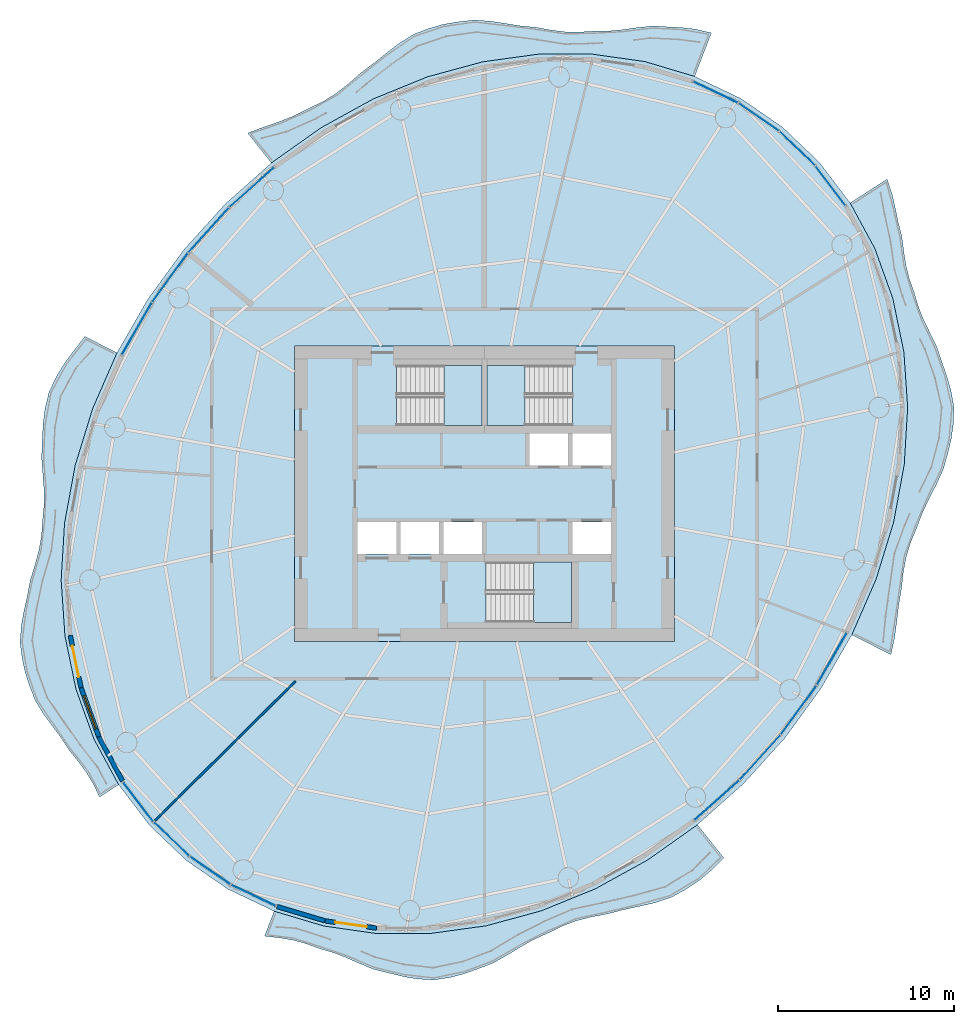
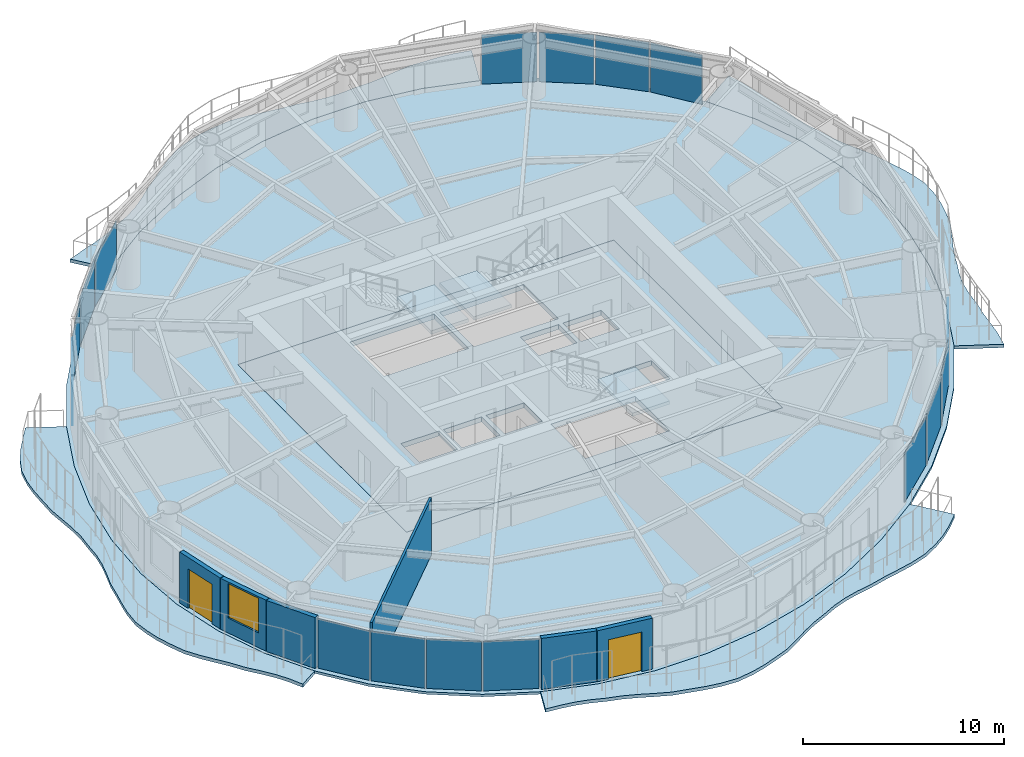
# One storey, part 7 of 14: 16 plates, 9 slabs, 6 walls, 2 doors, 1 window, 3 openings, 19 elements without a shape of their own.
"""IFC4 building model written with IfcOpenShell, lengths in metres."""

from ifc_helpers import new_model, si_unit, direction, frame, frame_2d, origin, origin_2d, place, context, subcontext, project, spatial, polyline, rectangle, outline, extrude, material, layer, layer_set, type_object, element, fill, aggregate, save


model = new_model("IFC4")

# Units and contexts
model_context = context("Model", 3, precision=1e-05, world=origin(), true_north=direction((0.0, 1.0)))
body_context = subcontext(model_context, "Body", "Model", "MODEL_VIEW")
ifc_project = project(units=[si_unit("LENGTHUNIT", "METRE"), si_unit("AREAUNIT", "SQUARE_METRE"), si_unit("VOLUMEUNIT", "CUBIC_METRE"), si_unit("PLANEANGLEUNIT", "RADIAN"), si_unit("MASSUNIT", "GRAM", prefix="KILO")], contexts=[model_context])

# Site, building, storey
site_placement = place(None, origin())
site = spatial("IfcSite", under=ifc_project, at=site_placement, CompositionType="ELEMENT")
building_placement = place(site_placement, origin())
building = spatial("IfcBuilding", under=site, at=building_placement, Name="Vermilion Reach Broadcast Tower", CompositionType="ELEMENT")
storey_placement = place(building_placement, frame((0.0, 0.0, 235.300048828125)))
storey = spatial("IfcBuildingStorey", under=building, at=storey_placement, Name="L58", CompositionType="ELEMENT", Elevation=235.300048828125)

# Slabs
ifc_material_1 = material(Name="Concrete C40/50", Category="concrete")
ifc_layer_1 = layer(ifc_material_1, 0.199951171875)
ifc_layer_set_1 = layer_set([ifc_layer_1], Name="Balcony slab 200")
slab_type_1 = type_object("IfcSlabType", Name="Balcony slab 200", PredefinedType="FLOOR", material=ifc_layer_set_1)
placement_1 = place(storey_placement, frame((0.0, 0.0, -0.199951171875)))
element("IfcSlab", 1, at=placement_1, inside=storey, type_object=slab_type_1, Name="Balcony slab L58 group 1", PredefinedType="FLOOR", context=body_context, shape_type="SweptSolid", body=[
    extrude(outline(polyline([(5.945556640625, 23.713623046875), (3.118896484375, 24.55712890625), (0.13623046875, 24.980712890625), (-2.951416015625, 24.976806640625), (-6.091064453125, 24.54541015625), (-9.229248046875, 23.694091796875), (-12.312255859375, 22.437255859375), (-15.287353515625, 20.796630859375), (-18.103271484375, 18.80029296875), (-19.452392578125, 20.49755859375), (-18.5009765625, 20.853271484375), (-17.650146484375, 21.145263671875), (-16.82373046875, 21.4716796875), (-15.978759765625, 21.898681640625), (-15.147216796875, 22.301513671875), (-14.425537109375, 22.751953125), (-13.7470703125, 23.280029296875), (-13.0185546875, 23.916259765625), (-12.250732421875, 24.4912109375), (-11.5751953125, 25.038818359375), (-10.890625, 25.564697265625), (-10.04248046875, 26.099365234375), (-9.1337890625, 26.44677734375), (-8.3525390625, 26.671875), (-7.548583984375, 26.8134765625), (-6.574462890625, 26.921142578125), (-5.607666015625, 26.848388671875), (-4.790771484375, 26.72314453125), (-3.973388671875, 26.594482421875), (-3.056884765625, 26.504150390625), (-2.18115234375, 26.344482421875), (-1.4091796875, 26.250244140625), (-0.63720703125, 26.232421875), (0.22802734375, 26.292724609375), (1.084228515625, 26.299560546875), (1.85546875, 26.373779296875), (2.631591796875, 26.482666015625), (3.562255859375, 26.58203125), (4.477294921875, 26.5302734375), (5.235107421875, 26.490478515625), (5.977783203125, 26.400634765625), (6.898193359375, 26.18994140625), (5.945556640625, 23.713623046875)])), origin(), (0.0, 0.0, 1.0), 0.199951171875),
])
element("IfcSlab", 2, at=placement_1, inside=storey, type_object=slab_type_1, Name="Balcony slab L58 group 2", PredefinedType="FLOOR", context=body_context, shape_type="SweptSolid", body=[
    extrude(outline(polyline([(-26.872314453125, 8.017578125), (-28.2529296875, 4.853759765625), (-29.2529296875, 1.606689453125), (-29.85498046875, -1.66748046875), (-30.048828125, -4.913330078125), (-29.8310546875, -8.0751953125), (-29.20556640625, -11.098876953125), (-28.183349609375, -13.9326171875), (-26.78125, -16.52783203125), (-27.867431640625, -17.22802734375), (-28.2314453125, -16.47314453125), (-28.611328125, -15.840087890625), (-29.051513671875, -15.23974609375), (-29.597412109375, -14.5654296875), (-30.0859375, -13.818359375), (-30.55517578125, -13.18701171875), (-31.021728515625, -12.5546875), (-31.52099609375, -11.75244140625), (-31.86083984375, -10.85986328125), (-32.099853515625, -10.120849609375), (-32.263427734375, -9.366455078125), (-32.385986328125, -8.42578125), (-32.307373046875, -7.451416015625), (-32.16064453125, -6.647216796875), (-31.9814453125, -5.840576171875), (-31.8046875, -4.92138671875), (-31.529052734375, -4.0107421875), (-31.31201171875, -3.209228515625), (-31.16796875, -2.403564453125), (-31.104248046875, -1.51611328125), (-31.01708984375, -0.607666015625), (-31.022705078125, 0.23974609375), (-31.0869140625, 1.09765625), (-31.160888671875, 2.07421875), (-31.11865234375, 3.070068359375), (-31.075927734375, 3.945556640625), (-30.970947265625, 4.802001953125), (-30.739990234375, 5.77587890625), (-30.30712890625, 6.691650390625), (-29.8486328125, 7.43310546875), (-29.320068359375, 8.14404296875), (-28.702392578125, 8.938720703125), (-26.872314453125, 8.017578125)])), origin(), (0.0, 0.0, 1.0), 0.199951171875),
])
element("IfcSlab", 3, at=placement_1, inside=storey, type_object=slab_type_1, Name="Balcony slab L58 group 3", PredefinedType="FLOOR", context=body_context, shape_type="SweptSolid", body=[
    extrude(outline(polyline([(-17.945556640625, -23.713623046875), (-15.118896484375, -24.55712890625), (-12.13623046875, -24.980712890625), (-9.048583984375, -24.976806640625), (-5.908935546875, -24.54541015625), (-2.770751953125, -23.694091796875), (0.312255859375, -22.437255859375), (3.287353515625, -20.796630859375), (6.103271484375, -18.80029296875), (7.60107421875, -20.6845703125), (6.884521484375, -21.39404296875), (6.225341796875, -21.95654296875), (5.509765625, -22.439697265625), (4.6240234375, -22.92724609375), (3.664794921875, -23.23974609375), (2.804931640625, -23.439697265625), (1.936767578125, -23.6240234375), (0.99560546875, -23.8681640625), (0.068115234375, -24.04345703125), (-0.74609375, -24.250732421875), (-1.52734375, -24.5390625), (-2.348876953125, -24.94189453125), (-3.173828125, -25.312744140625), (-3.9052734375, -25.7216796875), (-4.627197265625, -26.165283203125), (-5.48046875, -26.6513671875), (-6.37255859375, -26.9921875), (-7.134521484375, -27.26611328125), (-7.906005859375, -27.472412109375), (-8.865966796875, -27.623291015625), (-9.817138671875, -27.563720703125), (-10.58935546875, -27.432373046875), (-11.361328125, -27.244384765625), (-12.279052734375, -27.021240234375), (-13.136474609375, -26.66845703125), (-13.85205078125, -26.3505859375), (-14.572998046875, -26.0703125), (-15.39794921875, -25.832275390625), (-16.183349609375, -25.54541015625), (-16.896240234375, -25.355224609375), (-17.62890625, -25.231689453125), (-18.4912109375, -25.13232421875), (-17.945556640625, -23.713623046875)])), origin(), (0.0, 0.0, 1.0), 0.199951171875),
])
element("IfcSlab", 4, at=placement_1, inside=storey, type_object=slab_type_1, Name="Balcony slab L58 group 4", PredefinedType="FLOOR", context=body_context, shape_type="SweptSolid", body=[
    extrude(outline(polyline([(14.872314453125, -8.017578125), (16.2529296875, -4.853759765625), (17.2529296875, -1.606689453125), (17.85498046875, 1.66748046875), (18.048828125, 4.913330078125), (17.8310546875, 8.0751953125), (17.20556640625, 11.098876953125), (16.183349609375, 13.9326171875), (14.78125, 16.52783203125), (16.882568359375, 17.88232421875), (17.17724609375, 16.984130859375), (17.346435546875, 16.2373046875), (17.500244140625, 15.482177734375), (17.718505859375, 14.61962890625), (17.834716796875, 13.727783203125), (17.955078125, 12.970458984375), (18.13720703125, 12.235595703125), (18.418701171875, 11.441162109375), (18.663818359375, 10.612060546875), (18.958984375, 9.885009765625), (19.306884765625, 9.168701171875), (19.7119140625, 8.333251953125), (20.014404296875, 7.431396484375), (20.286376953125, 6.65576171875), (20.5107421875, 5.877197265625), (20.67919921875, 4.92529296875), (20.642822265625, 3.944091796875), (20.530029296875, 3.136474609375), (20.338623046875, 2.333740234375), (20.078125, 1.39794921875), (19.6611328125, 0.4892578125), (19.263916015625, -0.283935546875), (18.893798828125, -1.062255859375), (18.565185546875, -1.92822265625), (18.206787109375, -2.789306640625), (17.96142578125, -3.602294921875), (17.8046875, -4.44287109375), (17.698974609375, -5.389892578125), (17.536376953125, -6.355224609375), (17.430908203125, -7.2509765625), (17.314208984375, -8.1416015625), (17.099365234375, -9.138427734375), (14.872314453125, -8.017578125)])), origin(), (0.0, 0.0, 1.0), 0.199951171875),
])
ifc_material_2 = material(Name="Concrete C40", Category="concrete")
ifc_layer_2 = layer(ifc_material_2, 0.300048828125)
ifc_layer_set_2 = layer_set([ifc_layer_2], Name="Core floor slab 300 mm Concrete C40")
slab_type_2 = type_object("IfcSlabType", Name="Core floor slab 300 mm Concrete C40", PredefinedType="FLOOR", material=ifc_layer_set_2)
slab_5_placement = place(storey_placement, frame((0.0, 0.0, -0.300048828125)))
element("IfcSlab", 5, at=slab_5_placement, inside=storey, type_object=slab_type_2, Name="L58 core floor", PredefinedType="FLOOR", context=body_context, shape_type="SweptSolid", body=[
    extrude(outline(polyline([(-16.800048828125, -8.39990234375), (4.800048828125, -8.39990234375), (4.800048828125, 8.39990234375), (-16.800048828125, 8.39990234375), (-16.800048828125, -8.39990234375)]), holes=[polyline([(-3.433349609375, 1.60009765625), (-1.24169921875, 1.60009765625), (-1.24169921875, 3.429931640625), (-3.433349609375, 3.429931640625), (-3.433349609375, 1.60009765625)]), polyline([(-0.99169921875, 1.60009765625), (1.199951171875, 1.60009765625), (1.199951171875, 3.429931640625), (-0.99169921875, 3.429931640625), (-0.99169921875, 1.60009765625)]), polyline([(-13.199951171875, -3.429931640625), (-11.00830078125, -3.429931640625), (-11.00830078125, -1.60009765625), (-13.199951171875, -1.60009765625), (-13.199951171875, -3.429931640625)]), polyline([(-10.75830078125, -3.429931640625), (-8.566650390625, -3.429931640625), (-8.566650390625, -1.60009765625), (-10.75830078125, -1.60009765625), (-10.75830078125, -3.429931640625)]), polyline([(-8.316650390625, -3.429931640625), (-6.125, -3.429931640625), (-6.125, -1.60009765625), (-8.316650390625, -1.60009765625), (-8.316650390625, -3.429931640625)]), polyline([(-0.99169921875, -3.429931640625), (1.199951171875, -3.429931640625), (1.199951171875, -1.60009765625), (-0.99169921875, -1.60009765625), (-0.99169921875, -3.429931640625)]), polyline([(-10.999267578125, 3.8798828125), (-6.14990234375, 3.8798828125), (-6.14990234375, 7.300048828125), (-10.999267578125, 7.300048828125), (-10.999267578125, 3.8798828125)]), polyline([(-1.000732421875, 7.300048828125), (-5.85009765625, 7.300048828125), (-5.85009765625, 3.8798828125), (-1.000732421875, 3.8798828125), (-1.000732421875, 7.300048828125)]), polyline([(-5.8994140625, -7.300048828125), (-1.050048828125, -7.300048828125), (-1.050048828125, -3.8798828125), (-5.8994140625, -3.8798828125), (-5.8994140625, -7.300048828125)])]), origin(), (0.0, 0.0, 1.0), 0.300048828125),
])

# Stair, slab
ifc_material_3 = material(Name="Concrete C40", Category="concrete")
stair_type = type_object("IfcStairType", Name="Exit stair RC 22 risers 164 mm", PredefinedType="HALF_TURN_STAIR", material=ifc_material_3)
placement_2 = place(storey_placement, origin())
stair_1 = element("IfcStair", 6, at=placement_2, inside=storey, type_object=stair_type, Name="L58 Exit stair ST1", PredefinedType="HALF_TURN_STAIR")
ifc_material_4 = material(Name="Concrete C40", Category="concrete")
ifc_layer_3 = layer(ifc_material_4, 0.199951171875)
ifc_layer_set_3 = layer_set([ifc_layer_3], Name="Exit stair landing Concrete C40")
slab_type_3 = type_object("IfcSlabType", Name="Exit stair landing Concrete C40", PredefinedType="LANDING", material=ifc_layer_set_3)
placement_3 = place(storey_placement, frame((0.0, 0.0, 1.599853515625)))
slab_6 = element("IfcSlab", 7, at=placement_3, type_object=slab_type_3, Name="ST1 landing 1", PredefinedType="LANDING", context=body_context, shape_type="SweptSolid", body=[
    extrude(outline(polyline([(-8.300048828125, 3.8798828125), (-6.14990234375, 3.8798828125), (-6.14990234375, 7.300048828125), (-8.300048828125, 7.300048828125), (-8.300048828125, 3.8798828125)])), origin(), (0.0, 0.0, 1.0), 0.2001953125),
])
aggregate(stair_1, [slab_6])

stair_2 = element("IfcStair", 8, at=placement_2, inside=storey, type_object=stair_type, Name="L58 Exit stair ST2", PredefinedType="HALF_TURN_STAIR")
slab_7 = element("IfcSlab", 9, at=placement_3, type_object=slab_type_3, Name="ST2 landing 1", PredefinedType="LANDING", context=body_context, shape_type="SweptSolid", body=[
    extrude(outline(polyline([(-3.699951171875, 7.300048828125), (-5.85009765625, 7.300048828125), (-5.85009765625, 3.8798828125), (-3.699951171875, 3.8798828125), (-3.699951171875, 7.300048828125)])), origin(), (0.0, 0.0, 1.0), 0.2001953125),
])
aggregate(stair_2, [slab_7])

stair_3 = element("IfcStair", 10, at=placement_2, inside=storey, type_object=stair_type, Name="L58 Exit stair ST3", PredefinedType="HALF_TURN_STAIR")
slab_8 = element("IfcSlab", 11, at=placement_3, type_object=slab_type_3, Name="ST3 landing 1", PredefinedType="LANDING", context=body_context, shape_type="SweptSolid", body=[
    extrude(outline(polyline([(-3.199951171875, -7.300048828125), (-1.050048828125, -7.300048828125), (-1.050048828125, -3.8798828125), (-3.199951171875, -3.8798828125), (-3.199951171875, -7.300048828125)])), origin(), (0.0, 0.0, 1.0), 0.2001953125),
])
aggregate(stair_3, [slab_8])

# Slab
ifc_material_5 = material(Name="Concrete C40", Category="concrete")
ifc_layer_4 = layer(ifc_material_5, 0.14990234375)
ifc_layer_set_4 = layer_set([ifc_layer_4], Name="Floor slab Concrete C40 composite 150")
slab_type_4 = type_object("IfcSlabType", Name="Floor slab Concrete C40 composite 150", PredefinedType="FLOOR", material=ifc_layer_set_4)
slab_9_placement = place(storey_placement, frame((0.0, 0.0, -0.150146484375)))
element("IfcSlab", 12, at=slab_9_placement, inside=storey, type_object=slab_type_4, Name="Floor slab L58", PredefinedType="FLOOR", context=body_context, shape_type="SweptSolid", body=[
    extrude(outline(polyline([(10.940673828125, 20.83056640625), (8.567626953125, 22.46435546875), (5.945556640625, 23.713623046875), (3.118896484375, 24.55712890625), (0.13623046875, 24.980712890625), (-2.951416015625, 24.976806640625), (-6.091064453125, 24.54541015625), (-9.229248046875, 23.694091796875), (-12.312255859375, 22.437255859375), (-15.287353515625, 20.796630859375), (-18.103271484375, 18.80029296875), (-20.712158203125, 16.48193359375), (-23.0693359375, 13.8818359375), (-25.134521484375, 11.044189453125), (-26.872314453125, 8.017578125), (-28.2529296875, 4.853759765625), (-29.2529296875, 1.606689453125), (-29.85498046875, -1.66748046875), (-30.048828125, -4.913330078125), (-29.8310546875, -8.0751953125), (-29.20556640625, -11.098876953125), (-28.183349609375, -13.9326171875), (-26.78125, -16.52783203125), (-25.023681640625, -18.84033203125), (-22.940673828125, -20.83056640625), (-20.567626953125, -22.46435546875), (-17.945556640625, -23.713623046875), (-15.118896484375, -24.55712890625), (-12.13623046875, -24.980712890625), (-9.048583984375, -24.976806640625), (-5.908935546875, -24.54541015625), (-2.770751953125, -23.694091796875), (0.312255859375, -22.437255859375), (3.287353515625, -20.796630859375), (6.103271484375, -18.80029296875), (8.712158203125, -16.48193359375), (11.0693359375, -13.8818359375), (13.134521484375, -11.044189453125), (14.872314453125, -8.017578125), (16.2529296875, -4.853759765625), (17.2529296875, -1.606689453125), (17.85498046875, 1.66748046875), (18.048828125, 4.913330078125), (17.8310546875, 8.0751953125), (17.20556640625, 11.098876953125), (16.183349609375, 13.9326171875), (14.78125, 16.52783203125), (13.023681640625, 18.84033203125), (10.940673828125, 20.83056640625)]), holes=[polyline([(-16.800048828125, -8.39990234375), (4.800048828125, -8.39990234375), (4.800048828125, 8.39990234375), (-16.800048828125, 8.39990234375), (-16.800048828125, -8.39990234375)])]), origin(), (0.0, 0.0, 1.0), 0.150146484375),
])

# Curtain wall, plate
ifc_material_6 = material(Name="Low-e laminated clear glass in aluminium frame", Category="aluminium")
curtain_wall_type = type_object("IfcCurtainWallType", Name="Slot curtain wall", PredefinedType="NOTDEFINED", material=ifc_material_6)
curtain_wall_1 = element("IfcCurtainWall", 13, at=placement_2, inside=storey, type_object=curtain_wall_type, Name="Slot curtain wall L58 46", PredefinedType="NOTDEFINED")
ifc_material_7 = material(Name="Low-e laminated clear glass", Category="glass")
ifc_layer_5 = layer(ifc_material_7, 0.028076171875)
ifc_layer_set_5 = layer_set([ifc_layer_5], Name="Slot glass panel")
plate_type = type_object("IfcPlateType", Name="Slot glass panel", PredefinedType="CURTAIN_PANEL", material=ifc_layer_set_5)
plate_1_placement = place(storey_placement, frame((13.664306640625, 17.5029296875, 0.0), z_axis=(0.0, 0.0, 1.0), x_axis=(-0.605091785261, 0.796155720578, 0.0)))
plate_1 = element("IfcPlate", 14, at=plate_1_placement, type_object=plate_type, Name="Slot glass panel L58 46", PredefinedType="CURTAIN_PANEL", context=body_context, shape_type="SweptSolid", body=[
    extrude(rectangle(XDim=2.777587890625, YDim=0.028076171875, at=origin_2d()), origin(), (0.0, 0.0, 1.0), 3.0),
])
aggregate(curtain_wall_1, [plate_1])

curtain_wall_2 = element("IfcCurtainWall", 15, at=placement_2, inside=storey, type_object=curtain_wall_type, Name="Slot curtain wall L58 47", PredefinedType="NOTDEFINED")
plate_2_placement = place(storey_placement, frame((11.775634765625, 19.619140625, 0.0), z_axis=(0.0, 0.0, 1.0), x_axis=(-0.723048693696, 0.690797066109, 0.0)))
plate_2 = element("IfcPlate", 16, at=plate_2_placement, type_object=plate_type, Name="Slot glass panel L58 47", PredefinedType="CURTAIN_PANEL", context=body_context, shape_type="SweptSolid", body=[
    extrude(rectangle(XDim=2.753173828125, YDim=0.028076171875, at=origin_2d()), origin(), (0.0, 0.0, 1.0), 3.0),
])
aggregate(curtain_wall_2, [plate_2])

curtain_wall_3 = element("IfcCurtainWall", 17, at=placement_2, inside=storey, type_object=curtain_wall_type, Name="Slot curtain wall L58 00", PredefinedType="NOTDEFINED")
plate_3_placement = place(storey_placement, frame((9.58447265625, 21.401123046875, 0.0), z_axis=(0.0, 0.0, 1.0), x_axis=(-0.823663768023, 0.567078475386, 0.0)))
plate_3 = element("IfcPlate", 18, at=plate_3_placement, type_object=plate_type, Name="Slot glass panel L58 00", PredefinedType="CURTAIN_PANEL", context=body_context, shape_type="SweptSolid", body=[
    extrude(rectangle(XDim=2.753173828125, YDim=0.028076171875, at=origin_2d()), origin(), (0.0, 0.0, 1.0), 3.0),
])
aggregate(curtain_wall_3, [plate_3])

curtain_wall_4 = element("IfcCurtainWall", 19, at=placement_2, inside=storey, type_object=curtain_wall_type, Name="Slot curtain wall L58 01", PredefinedType="NOTDEFINED")
plate_4_placement = place(storey_placement, frame((7.127685546875, 22.819091796875, 0.0), z_axis=(0.0, 0.0, 1.0), x_axis=(-0.902769650664, 0.430124351601, 0.0)))
plate_4 = element("IfcPlate", 20, at=plate_4_placement, type_object=plate_type, Name="Slot glass panel L58 01", PredefinedType="CURTAIN_PANEL", context=body_context, shape_type="SweptSolid", body=[
    extrude(rectangle(XDim=2.777587890625, YDim=0.028076171875, at=origin_2d()), origin(), (0.0, 0.0, 1.0), 3.0),
])
aggregate(curtain_wall_4, [plate_4])

curtain_wall_5 = element("IfcCurtainWall", 21, at=placement_2, inside=storey, type_object=curtain_wall_type, Name="Slot curtain wall L58 10", PredefinedType="NOTDEFINED")
plate_5_placement = place(storey_placement, frame((-19.208740234375, 17.417236328125, 0.0), z_axis=(0.0, 0.0, 1.0), x_axis=(-0.747537682642, -0.664219401275, 0.0)))
plate_5 = element("IfcPlate", 22, at=plate_5_placement, type_object=plate_type, Name="Slot glass panel L58 10", PredefinedType="CURTAIN_PANEL", context=body_context, shape_type="SweptSolid", body=[
    extrude(rectangle(XDim=3.37744140625, YDim=0.028076171875, at=origin_2d()), origin(), (0.0, 0.0, 1.0), 3.0),
])
aggregate(curtain_wall_5, [plate_5])

curtain_wall_6 = element("IfcCurtainWall", 23, at=placement_2, inside=storey, type_object=curtain_wall_type, Name="Slot curtain wall L58 11", PredefinedType="NOTDEFINED")
plate_6_placement = place(storey_placement, frame((-21.6689453125, 14.980712890625, 0.0), z_axis=(0.0, 0.0, 1.0), x_axis=(-0.671647225858, -0.740871111596, 0.0)))
plate_6 = element("IfcPlate", 24, at=plate_6_placement, type_object=plate_type, Name="Slot glass panel L58 11", PredefinedType="CURTAIN_PANEL", context=body_context, shape_type="SweptSolid", body=[
    extrude(rectangle(XDim=3.3974609375, YDim=0.028076171875, at=origin_2d()), origin(), (0.0, 0.0, 1.0), 3.0),
])
aggregate(curtain_wall_6, [plate_6])

curtain_wall_7 = element("IfcCurtainWall", 25, at=placement_2, inside=storey, type_object=curtain_wall_type, Name="Slot curtain wall L58 12", PredefinedType="NOTDEFINED")
plate_7_placement = place(storey_placement, frame((-23.85986328125, 12.286865234375, 0.0), z_axis=(0.0, 0.0, 1.0), x_axis=(-0.588429998069, -0.80854816639, 0.0)))
plate_7 = element("IfcPlate", 26, at=plate_7_placement, type_object=plate_type, Name="Slot glass panel L58 12", PredefinedType="CURTAIN_PANEL", context=body_context, shape_type="SweptSolid", body=[
    extrude(rectangle(XDim=3.3974609375, YDim=0.028076171875, at=origin_2d()), origin(), (0.0, 0.0, 1.0), 3.0),
])
aggregate(curtain_wall_7, [plate_7])

curtain_wall_8 = element("IfcCurtainWall", 27, at=placement_2, inside=storey, type_object=curtain_wall_type, Name="Slot curtain wall L58 13", PredefinedType="NOTDEFINED")
plate_8_placement = place(storey_placement, frame((-25.74365234375, 9.3818359375, 0.0), z_axis=(0.0, 0.0, 1.0), x_axis=(-0.497919670226, -0.867223155826, 0.0)))
plate_8 = element("IfcPlate", 28, at=plate_8_placement, type_object=plate_type, Name="Slot glass panel L58 13", PredefinedType="CURTAIN_PANEL", context=body_context, shape_type="SweptSolid", body=[
    extrude(rectangle(XDim=3.37744140625, YDim=0.028076171875, at=origin_2d()), origin(), (0.0, 0.0, 1.0), 3.0),
])
aggregate(curtain_wall_8, [plate_8])

curtain_wall_9 = element("IfcCurtainWall", 29, at=placement_2, inside=storey, type_object=curtain_wall_type, Name="Slot curtain wall L58 22", PredefinedType="NOTDEFINED")
plate_9_placement = place(storey_placement, frame((-25.664306640625, -17.5029296875, 0.0), z_axis=(0.0, 0.0, 1.0), x_axis=(0.605091785261, -0.796155720578, 0.0)))
plate_9 = element("IfcPlate", 30, at=plate_9_placement, type_object=plate_type, Name="Slot glass panel L58 22", PredefinedType="CURTAIN_PANEL", context=body_context, shape_type="SweptSolid", body=[
    extrude(rectangle(XDim=2.777587890625, YDim=0.028076171875, at=origin_2d()), origin(), (0.0, 0.0, 1.0), 3.0),
])
aggregate(curtain_wall_9, [plate_9])

curtain_wall_10 = element("IfcCurtainWall", 31, at=placement_2, inside=storey, type_object=curtain_wall_type, Name="Slot curtain wall L58 23", PredefinedType="NOTDEFINED")
plate_10_placement = place(storey_placement, frame((-23.775634765625, -19.619140625, 0.0), z_axis=(0.0, 0.0, 1.0), x_axis=(0.723048693696, -0.690797066109, 0.0)))
plate_10 = element("IfcPlate", 32, at=plate_10_placement, type_object=plate_type, Name="Slot glass panel L58 23", PredefinedType="CURTAIN_PANEL", context=body_context, shape_type="SweptSolid", body=[
    extrude(rectangle(XDim=2.753173828125, YDim=0.028076171875, at=origin_2d()), origin(), (0.0, 0.0, 1.0), 3.0),
])
aggregate(curtain_wall_10, [plate_10])

curtain_wall_11 = element("IfcCurtainWall", 33, at=placement_2, inside=storey, type_object=curtain_wall_type, Name="Slot curtain wall L58 24", PredefinedType="NOTDEFINED")
plate_11_placement = place(storey_placement, frame((-21.58447265625, -21.401123046875, 0.0), z_axis=(0.0, 0.0, 1.0), x_axis=(0.823663768023, -0.567078475386, 0.0)))
plate_11 = element("IfcPlate", 34, at=plate_11_placement, type_object=plate_type, Name="Slot glass panel L58 24", PredefinedType="CURTAIN_PANEL", context=body_context, shape_type="SweptSolid", body=[
    extrude(rectangle(XDim=2.753173828125, YDim=0.028076171875, at=origin_2d()), origin(), (0.0, 0.0, 1.0), 3.0),
])
aggregate(curtain_wall_11, [plate_11])

curtain_wall_12 = element("IfcCurtainWall", 35, at=placement_2, inside=storey, type_object=curtain_wall_type, Name="Slot curtain wall L58 25", PredefinedType="NOTDEFINED")
plate_12_placement = place(storey_placement, frame((-19.127685546875, -22.819091796875, 0.0), z_axis=(0.0, 0.0, 1.0), x_axis=(0.902769650664, -0.430124351601, 0.0)))
plate_12 = element("IfcPlate", 36, at=plate_12_placement, type_object=plate_type, Name="Slot glass panel L58 25", PredefinedType="CURTAIN_PANEL", context=body_context, shape_type="SweptSolid", body=[
    extrude(rectangle(XDim=2.777587890625, YDim=0.028076171875, at=origin_2d()), origin(), (0.0, 0.0, 1.0), 3.0),
])
aggregate(curtain_wall_12, [plate_12])

curtain_wall_13 = element("IfcCurtainWall", 37, at=placement_2, inside=storey, type_object=curtain_wall_type, Name="Slot curtain wall L58 34", PredefinedType="NOTDEFINED")
plate_13_placement = place(storey_placement, frame((7.208740234375, -17.417236328125, 0.0), z_axis=(0.0, 0.0, 1.0), x_axis=(0.747537682642, 0.664219401275, 0.0)))
plate_13 = element("IfcPlate", 38, at=plate_13_placement, type_object=plate_type, Name="Slot glass panel L58 34", PredefinedType="CURTAIN_PANEL", context=body_context, shape_type="SweptSolid", body=[
    extrude(rectangle(XDim=3.37744140625, YDim=0.028076171875, at=origin_2d()), origin(), (0.0, 0.0, 1.0), 3.0),
])
aggregate(curtain_wall_13, [plate_13])

curtain_wall_14 = element("IfcCurtainWall", 39, at=placement_2, inside=storey, type_object=curtain_wall_type, Name="Slot curtain wall L58 35", PredefinedType="NOTDEFINED")
plate_14_placement = place(storey_placement, frame((9.6689453125, -14.980712890625, 0.0), z_axis=(0.0, 0.0, 1.0), x_axis=(0.671647225858, 0.740871111596, 0.0)))
plate_14 = element("IfcPlate", 40, at=plate_14_placement, type_object=plate_type, Name="Slot glass panel L58 35", PredefinedType="CURTAIN_PANEL", context=body_context, shape_type="SweptSolid", body=[
    extrude(rectangle(XDim=3.3974609375, YDim=0.028076171875, at=origin_2d()), origin(), (0.0, 0.0, 1.0), 3.0),
])
aggregate(curtain_wall_14, [plate_14])

curtain_wall_15 = element("IfcCurtainWall", 41, at=placement_2, inside=storey, type_object=curtain_wall_type, Name="Slot curtain wall L58 36", PredefinedType="NOTDEFINED")
plate_15_placement = place(storey_placement, frame((11.85986328125, -12.286865234375, 0.0), z_axis=(0.0, 0.0, 1.0), x_axis=(0.588429998069, 0.80854816639, 0.0)))
plate_15 = element("IfcPlate", 42, at=plate_15_placement, type_object=plate_type, Name="Slot glass panel L58 36", PredefinedType="CURTAIN_PANEL", context=body_context, shape_type="SweptSolid", body=[
    extrude(rectangle(XDim=3.3974609375, YDim=0.028076171875, at=origin_2d()), origin(), (0.0, 0.0, 1.0), 3.0),
])
aggregate(curtain_wall_15, [plate_15])

curtain_wall_16 = element("IfcCurtainWall", 43, at=placement_2, inside=storey, type_object=curtain_wall_type, Name="Slot curtain wall L58 37", PredefinedType="NOTDEFINED")
plate_16_placement = place(storey_placement, frame((13.74365234375, -9.3818359375, 0.0), z_axis=(0.0, 0.0, 1.0), x_axis=(0.497919670226, 0.867223155826, 0.0)))
plate_16 = element("IfcPlate", 44, at=plate_16_placement, type_object=plate_type, Name="Slot glass panel L58 37", PredefinedType="CURTAIN_PANEL", context=body_context, shape_type="SweptSolid", body=[
    extrude(rectangle(XDim=3.37744140625, YDim=0.028076171875, at=origin_2d()), origin(), (0.0, 0.0, 1.0), 3.0),
])
aggregate(curtain_wall_16, [plate_16])

# Wall
ifc_material_8 = material(Name="Fire-rated plasterboard on steel stud", Category="steel")
ifc_layer_6 = layer(ifc_material_8, 0.125)
ifc_layer_set_6 = layer_set([ifc_layer_6], Name="Partition 125 fire-rated stud")
wall_type_1 = type_object("IfcWallType", Name="Partition 125 fire-rated stud", PredefinedType="PARTITIONING", material=ifc_layer_set_6)
wall_1_placement = place(storey_placement, frame((-24.70654296875, -18.557373046875, 0.0), z_axis=(0.0, 0.0, 1.0), x_axis=(0.709925893097, 0.704276384888, 0.0)))
element("IfcWall", 45, at=wall_1_placement, inside=storey, type_object=wall_type_1, Name="Partition 58.05", PredefinedType="PARTITIONING", context=body_context, shape_type="SweptSolid", body=[
    extrude(rectangle(XDim=11.23583984375, YDim=0.125, at=frame_2d((5.617919921875, 0.0))), origin(), (0.0, 0.0, 1.0), 3.449951171875),
])

# Wall, opening, door
ifc_material_9 = material(Name="Terracotta rainscreen cladding", Category="masonry")
ifc_layer_7 = layer(ifc_material_9, 0.25)
ifc_layer_set_7 = layer_set([ifc_layer_7], Name="Terracotta rainscreen wall 250")
wall_type_2 = type_object("IfcWallType", Name="Terracotta rainscreen wall 250", PredefinedType="SOLIDWALL", material=ifc_layer_set_7)
wall_2_placement = place(storey_placement, frame((-29.53125, -8.046875, 0.0), z_axis=(0.0, 0.0, 1.0), x_axis=(0.202546805283, -0.979272582925, 0.0)))
wall_2 = element("IfcWall", 46, at=wall_2_placement, inside=storey, type_object=wall_type_2, Name="External wall L58 19", PredefinedType="SOLIDWALL", context=body_context, shape_type="SweptSolid", body=[
    extrude(rectangle(XDim=3.0205078125, YDim=0.25, at=frame_2d((1.51025390625, 0.0))), origin(), (0.0, 0.0, 1.0), 3.099853515625),
])
opening_1_placement = place(wall_2_placement, frame((0.610107421875, 0.0, 0.0)))
opening_1 = element("IfcOpeningElement", 47, at=opening_1_placement, cuts=wall_2, Name="Opening D70", PredefinedType="OPENING", context=body_context, shape_type="SweptSolid", body=[
    extrude(rectangle(XDim=1.800048828125, YDim=2.39990234375, at=frame_2d((0.89990234375, 1.199951171875))), frame((0.0, 0.135009765625, 0.0), z_axis=(0.0, -1.0, 0.0), x_axis=(1.0, 0.0, 0.0)), (0.0, 0.0, 1.0), 0.27001953125),
])
ifc_material_10 = material(Name="Low-e laminated clear glass in aluminium frame", Category="aluminium")
door_type = type_object("IfcDoorType", Name="Balcony sliding door 1800 x 2400", OperationType="DOUBLE_DOOR_SLIDING", PredefinedType="DOOR", material=ifc_material_10)
door_1_placement = place(opening_1_placement, origin())
door_1 = element("IfcDoor", 48, at=door_1_placement, inside=storey, type_object=door_type, Name="Balcony door L58 run 05", OperationType="DOUBLE_DOOR_SLIDING", OverallHeight=2.39990234375, OverallWidth=1.800048828125, PredefinedType="DOOR", context=body_context, shape_type="SweptSolid", body=[
    extrude(rectangle(XDim=1.800048828125, YDim=2.39990234375, at=frame_2d((0.89990234375, 1.199951171875))), frame((0.0, 0.02490234375, 0.0), z_axis=(0.0, -1.0, 0.0), x_axis=(1.0, 0.0, 0.0)), (0.0, 0.0, 1.0), 0.050048828125),
])
fill(opening_1, door_1)

# Wall, opening, window
wall_3_placement = place(storey_placement, frame((-28.91259765625, -11.02978515625, 0.0), z_axis=(0.0, 0.0, 1.0), x_axis=(0.339430375323, -0.940631181871, 0.0)))
wall_3 = element("IfcWall", 49, at=wall_3_placement, inside=storey, type_object=wall_type_2, Name="External wall L58 20", PredefinedType="SOLIDWALL", context=body_context, shape_type="SweptSolid", body=[
    extrude(rectangle(XDim=2.942626953125, YDim=0.25, at=frame_2d((1.47119140625, 0.0))), origin(), (0.0, 0.0, 1.0), 3.099853515625),
])
opening_2_placement = place(wall_3_placement, frame((0.47119140625, 0.0, 0.89990234375)))
opening_2 = element("IfcOpeningElement", 50, at=opening_2_placement, cuts=wall_3, Name="Opening W03", PredefinedType="OPENING", context=body_context, shape_type="SweptSolid", body=[
    extrude(rectangle(XDim=2.0, YDim=2.10009765625, at=frame_2d((1.0, 1.050048828125))), frame((0.0, 0.135009765625, 0.0), z_axis=(0.0, -1.0, 0.0), x_axis=(1.0, 0.0, 0.0)), (0.0, 0.0, 1.0), 0.27001953125),
])
ifc_material_11 = material(Name="Low-e laminated clear glass in aluminium frame", Category="aluminium")
window_type = type_object("IfcWindowType", Name="Punched window 2000 x 2100 sill 900", PartitioningType="SINGLE_PANEL", PredefinedType="WINDOW", material=ifc_material_11)
window_placement = place(opening_2_placement, origin())
window = element("IfcWindow", 51, at=window_placement, inside=storey, type_object=window_type, Name="Window L58 20", OverallHeight=2.10009765625, OverallWidth=2.0, PartitioningType="SINGLE_PANEL", PredefinedType="WINDOW", context=body_context, shape_type="SweptSolid", body=[
    extrude(rectangle(XDim=2.0, YDim=2.10009765625, at=frame_2d((1.0, 1.050048828125))), frame((0.0, 0.030029296875, 0.0), z_axis=(0.0, -1.0, 0.0), x_axis=(1.0, 0.0, 0.0)), (0.0, 0.0, 1.0), 0.06005859375),
])
fill(opening_2, window)

# Walls
for number, where, z_axis, x_axis, name in (
    (52, (-27.903076171875, -13.822021484375, 0.0), (0.0, 0.0, 1.0), (0.475295544149, -0.879826201992, 0.0), "External wall L58 21"),
    (53, (-17.78515625, -23.44921875, 0.0), (0.0, 0.0, 1.0), (0.958235211518, -0.28598125709, 0.0), "External wall L58 26"),
):
    element("IfcWall", number, at=place(storey_placement, frame(where, z_axis=z_axis, x_axis=x_axis)), inside=storey, type_object=wall_type_2, Name=name, PredefinedType="SOLIDWALL", context=body_context, shape_type="SweptSolid", body=[
        extrude(rectangle(XDim=2.8359375, YDim=0.25, at=frame_2d((1.41796875, 0.0))), origin(), (0.0, 0.0, 1.0), 3.099853515625),
    ])

# Wall, opening, door
wall_4_placement = place(storey_placement, frame((-15.041748046875, -24.26611328125, 0.0), z_axis=(0.0, 0.0, 1.0), x_axis=(0.990073564397, -0.140550123028, 0.0)))
wall_4 = element("IfcWall", 54, at=wall_4_placement, inside=storey, type_object=wall_type_2, Name="External wall L58 27", PredefinedType="SOLIDWALL", context=body_context, shape_type="SweptSolid", body=[
    extrude(rectangle(XDim=2.942626953125, YDim=0.25, at=frame_2d((1.47119140625, 0.0))), origin(), (0.0, 0.0, 1.0), 3.099853515625),
])
opening_3_placement = place(wall_4_placement, frame((0.571044921875, 0.0, 0.0)))
opening_3 = element("IfcOpeningElement", 55, at=opening_3_placement, cuts=wall_4, Name="Opening D70", PredefinedType="OPENING", context=body_context, shape_type="SweptSolid", body=[
    extrude(rectangle(XDim=1.800048828125, YDim=2.39990234375, at=frame_2d((0.89990234375, 1.199951171875))), frame((0.0, 0.135009765625, 0.0), z_axis=(0.0, -1.0, 0.0), x_axis=(1.0, 0.0, 0.0)), (0.0, 0.0, 1.0), 0.27001953125),
])
door_2_placement = place(opening_3_placement, origin())
door_2 = element("IfcDoor", 56, at=door_2_placement, inside=storey, type_object=door_type, Name="Balcony door L58 run 07", OperationType="DOUBLE_DOOR_SLIDING", OverallHeight=2.39990234375, OverallWidth=1.800048828125, PredefinedType="DOOR", context=body_context, shape_type="SweptSolid", body=[
    extrude(rectangle(XDim=1.800048828125, YDim=2.39990234375, at=frame_2d((0.89990234375, 1.199951171875))), frame((0.0, 0.02490234375, 0.0), z_axis=(0.0, -1.0, 0.0), x_axis=(1.0, 0.0, 0.0)), (0.0, 0.0, 1.0), 0.050048828125),
])
fill(opening_3, door_2)

save(model, "model.ifc")
